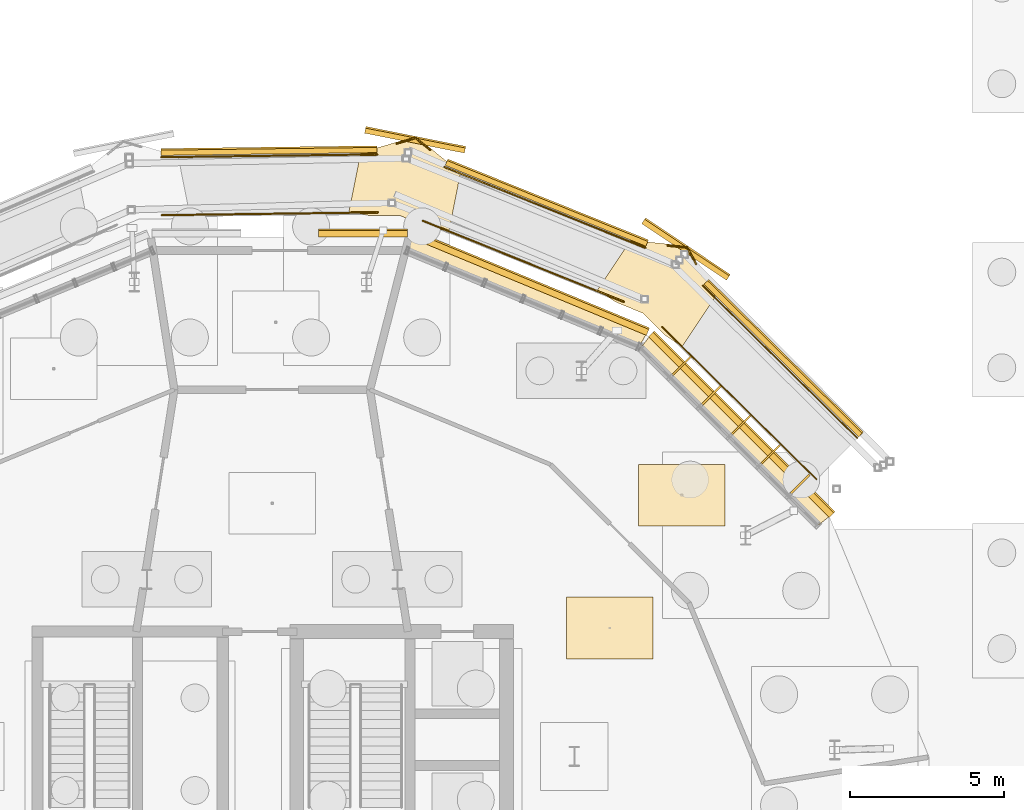
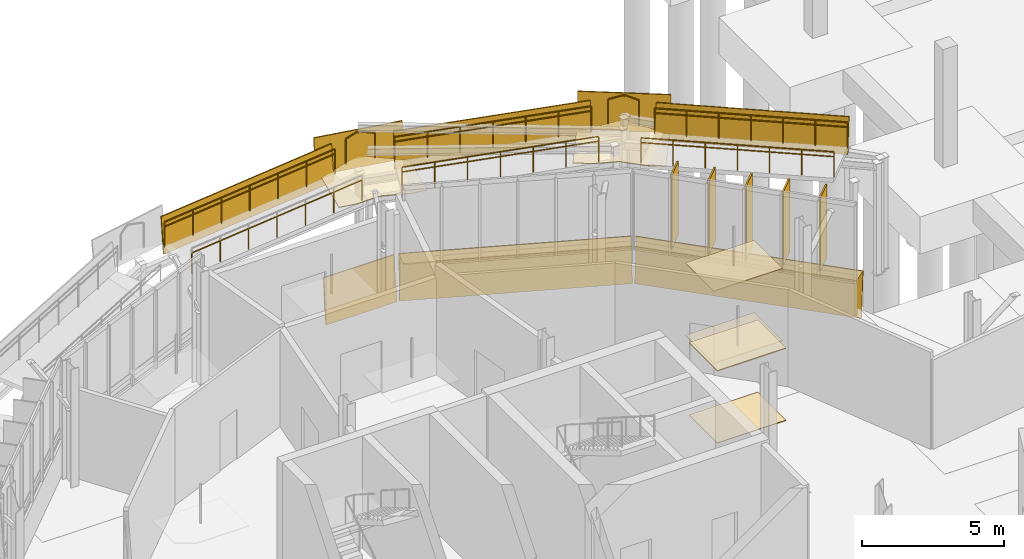
# One storey, part 114 of 119: 16 coverings, 15 railings, 5 shading devices.
"""IFC4 building model written with IfcOpenShell, lengths in metres."""

from ifc_helpers import new_model, si_unit, derived_unit, direction, frame, origin, origin_2d, place, context, subcontext, project, spatial, polyline, rectangle, circle, outline, extrude, material, layer, layer_set, type_object, element, save


model = new_model("IFC4")

# Units and contexts
model_context = context("Model", 3, precision=1e-05, world=origin(), true_north=direction((0.0, 1.0)))
body_context = subcontext(model_context, "Body", "Model", "MODEL_VIEW")
ifc_project = project(units=[si_unit("LENGTHUNIT", "METRE"), si_unit("AREAUNIT", "SQUARE_METRE"), si_unit("VOLUMEUNIT", "CUBIC_METRE"), si_unit("PLANEANGLEUNIT", "RADIAN"), si_unit("MASSUNIT", "GRAM", prefix="KILO"), derived_unit("THERMALTRANSMITTANCEUNIT", [(si_unit("MASSUNIT", "GRAM", prefix="KILO"), 1), (si_unit("TIMEUNIT", "SECOND"), -3), (si_unit("THERMODYNAMICTEMPERATUREUNIT", "KELVIN"), -1)])], contexts=[model_context])

# Site, building, storey
site_placement = place(None, origin())
site = spatial("IfcSite", under=ifc_project, at=site_placement, CompositionType="ELEMENT")
building_placement = place(site_placement, origin())
building = spatial("IfcBuilding", under=site, at=building_placement, Name="Makaiwela Harbour Ferry Terminal", CompositionType="ELEMENT")
storey_placement = place(building_placement, origin())
storey = spatial("IfcBuildingStorey", under=building, at=storey_placement, Name="L00", CompositionType="ELEMENT", Elevation=0.0)

# Coverings
ifc_material_1 = material(Name="White glazed marine ceramic rainscreen tile", Category="masonry")
ifc_layer_1 = layer(ifc_material_1, 0.054931640625)
ifc_layer_set_1 = layer_set([ifc_layer_1], Name="White glazed marine ceramic rainscreen tile")
covering_type_1 = type_object("IfcCoveringType", Name="ENV-CLD-CERAMIC", PredefinedType="CLADDING", material=ifc_layer_set_1)
covering_1_placement = place(storey_placement, frame((55.855224609375, 79.393798828125, -0.3798828125), z_axis=(-0.702892139248, -0.702892139248, 0.109019636607), x_axis=(-0.70710660616, 0.707106956209, 2.256906e-06)))
element("IfcCovering", 1, at=covering_1_placement, inside=storey, type_object=covering_type_1, Name="Ceramic Spandrel Facet CLD-0001", PredefinedType="CLADDING", context=body_context, shape_type="SweptSolid", body=[
    extrude(outline(polyline([(0.0, 0.0), (8.289342361406732, -5.551115123125783e-17), (8.28934670084011, -1.9112756098700336), (4.339518837870442e-06, -1.9113132507510526), (0.0, 0.0)])), origin(), (0.0, 0.0, -1.0), 0.054931640625),
])
covering_2_placement = place(storey_placement, frame((0.0, 0.0, 1.47998046875)))
element("IfcCovering", 2, at=covering_2_placement, inside=storey, type_object=covering_type_1, Name="Ceramic Ring Sill Cap CLD-0002", PredefinedType="CLADDING", context=body_context, shape_type="SweptSolid", body=[
    extrude(outline(polyline([(56.002685546875, 79.541259765625), (50.14111328125, 85.402587890625), (49.73828125, 84.8896484375), (55.48974609375, 79.13818359375), (56.002685546875, 79.541259765625)])), origin(), (0.0, 0.0, 1.0), 0.054931640625),
])
covering_3_placement = place(storey_placement, frame((49.92919921875, 85.298583984375, -0.3798828125), z_axis=(-0.380398759585, -0.91838208959, 0.108954675097), x_axis=(-0.923882194821, 0.382677004917, 6.10357e-07)))
element("IfcCovering", 3, at=covering_3_placement, inside=storey, type_object=covering_type_1, Name="Ceramic Spandrel Facet CLD-0003", PredefinedType="CLADDING", context=body_context, shape_type="SweptSolid", body=[
    extrude(outline(polyline([(0.0, 0.0), (8.289174563484776, 5.551115123125783e-17), (8.289264562058765, -1.9112756460815155), (-0.00013555860248153952, -1.91128582552714), (0.0, 0.0)])), origin(), (0.0, 0.0, -1.0), 0.054931640625),
])
covering_4_placement = place(storey_placement, frame((0.0, 0.0, 1.47998046875)))
element("IfcCovering", 4, at=covering_4_placement, inside=storey, type_object=covering_type_1, Name="Ceramic Ring Sill Cap CLD-0004", PredefinedType="CLADDING", context=body_context, shape_type="SweptSolid", body=[
    extrude(outline(polyline([(50.009033203125, 85.490966796875), (42.3505859375, 88.6630859375), (42.174560546875, 88.034912109375), (49.689208984375, 84.92236328125), (50.009033203125, 85.490966796875)])), origin(), (0.0, 0.0, 1.0), 0.054931640625),
])
covering_5_placement = place(storey_placement, frame((42.184814453125, 88.48583984375, -0.3798828125), z_axis=(0.0, -0.994046209643, 0.108959318533), x_axis=(-1.0, 0.0, 0.0)))
element("IfcCovering", 5, at=covering_5_placement, inside=storey, type_object=covering_type_1, Name="Ceramic Spandrel Facet CLD-0005", PredefinedType="CLADDING", context=body_context, shape_type="SweptSolid", body=[
    extrude(outline(polyline([(0.0, 0.0), (2.884765625, 0.0), (2.884765625, -1.9112817143914502), (0.0, -1.9112817143914502), (0.0, 0.0)])), origin(), (0.0, 0.0, -1.0), 0.054931640625),
])
covering_6_placement = place(storey_placement, frame((34.2060546875, 91.13037109375, 2.847412109375), z_axis=(0.002800905544, -0.993935751955, 0.109926684269), x_axis=(0.995781413056, 0.012854137385, 0.090852344847)))
element("IfcCovering", 6, at=covering_6_placement, inside=storey, type_object=covering_type_1, Name="Coiled Ramp Ceramic Fascia CLD-R0019", PredefinedType="CLADDING", context=body_context, shape_type="SweptSolid", body=[
    extrude(outline(polyline([(0.0, 0.0), (7.0188671373056195, 0.0), (7.15715964121809, 1.5227907914468923), (0.13806843574704114, 1.5230281656356204), (0.0, 0.0)])), origin(), (0.0, 0.0, -1.0), 0.054931640625),
])
covering_7_placement = place(storey_placement, frame((44.033447265625, 91.205810546875, 3.485107421875), z_axis=(-0.193910341386, -0.974846187239, 0.10988034733), x_axis=(-0.98078501504, 0.195091656081, 0.0)))
element("IfcCovering", 7, at=covering_7_placement, inside=storey, type_object=covering_type_1, Name="Coiled Ramp Ceramic Fascia CLD-R0020", PredefinedType="CLADDING", context=body_context, shape_type="SweptSolid", body=[
    extrude(outline(polyline([(0.0, 0.0), (3.299981357781899, 0.0), (3.300045243484791, -1.5290339633720902), (6.388570289143913e-05, -1.5290339633720902), (0.0, 0.0)])), origin(), (0.0, 0.0, -1.0), 0.054931640625),
])
covering_8_placement = place(storey_placement, frame((43.411865234375, 90.805908203125, 3.485107421875), z_axis=(-0.380535479819, -0.91821480824, 0.109883185828), x_axis=(0.923798473404, -0.372009275686, 0.090584100929)))
element("IfcCovering", 8, at=covering_8_placement, inside=storey, type_object=covering_type_1, Name="Coiled Ramp Ceramic Fascia CLD-R0021", PredefinedType="CLADDING", context=body_context, shape_type="SweptSolid", body=[
    extrude(outline(polyline([(0.0, 0.0), (7.03700012256325, 1.1102230246251565e-16), (7.174617039771497, 1.5230875237770323), (0.13768562452630123, 1.5228126730568272), (0.0, 0.0)])), origin(), (0.0, 0.0, -1.0), 0.054931640625),
])
covering_9_placement = place(storey_placement, frame((52.524658203125, 87.086669921875, 4.12255859375), z_axis=(-0.552212703446, -0.826425523361, 0.109918080821), x_axis=(-0.831463721241, 0.555579049514, -1.115024e-06)))
element("IfcCovering", 9, at=covering_9_placement, inside=storey, type_object=covering_type_1, Name="Coiled Ramp Ceramic Fascia CLD-R0022", PredefinedType="CLADDING", context=body_context, shape_type="SweptSolid", body=[
    extrude(outline(polyline([(0.0, 0.0), (3.2997637651627483, 0.0), (3.2999397201724205, -1.5292897125461575), (-0.00016267847928162053, -1.529282308676319), (0.0, 0.0)])), origin(), (0.0, 0.0, -1.0), 0.054931640625),
])
covering_10_placement = place(storey_placement, frame((51.797607421875, 86.95068359375, 4.12255859375), z_axis=(-0.705271779307, -0.700359519329, 0.109946627956), x_axis=(0.70880387788, -0.699613440077, 0.090211402639)))
element("IfcCovering", 10, at=covering_10_placement, inside=storey, type_object=covering_type_1, Name="Coiled Ramp Ceramic Fascia CLD-R0023", PredefinedType="CLADDING", context=body_context, shape_type="SweptSolid", body=[
    extrude(outline(polyline([(0.0, 0.0), (7.066192889432366, -1.1102230246251565e-16), (7.203377138477214, 1.5231262843482636), (0.13718424904484783, 1.5231262843482636), (0.0, 0.0)])), origin(), (0.0, 0.0, -1.0), 0.054931640625),
])

# Shading devices
ifc_material_2 = material(Name="Thermally modified Accoya timber and anodised aluminium", Category="wood")
ifc_layer_2 = layer(ifc_material_2, 0.06005859375)
ifc_layer_set_2 = layer_set([ifc_layer_2], Name="Thermally modified Accoya timber and anodised aluminium")
shading_device_type = type_object("IfcShadingDeviceType", Name="ENV-FIN-850", PredefinedType="USERDEFINED", material=ifc_layer_set_2)
for number, where, z_axis, x_axis, name in (
    (11, (54.91162109375, 80.477294921875, 1.626953125), (0.0, 0.0, 1.0), (0.707106781187, 0.707106781187, 0.0), "Vertical Solar Fin SFN-0001"),
    (12, (53.952880859375, 81.435791015625, 1.626953125), (0.0, 0.0, 1.0), (0.707106781187, 0.707106781187, 0.0), "Vertical Solar Fin SFN-0002"),
    (13, (52.994384765625, 82.394287109375, 1.626953125), (0.0, 0.0, 1.0), (0.707106781187, 0.707106781187, 0.0), "Vertical Solar Fin SFN-0003"),
    (14, (52.035888671875, 83.352783203125, 1.626953125), (0.0, 0.0, 1.0), (0.707106781187, 0.707106781187, 0.0), "Vertical Solar Fin SFN-0004"),
    (15, (51.0771484375, 84.3115234375, 1.626953125), (0.0, 0.0, 1.0), (0.707106781187, 0.707106781187, 0.0), "Vertical Solar Fin SFN-0005"),
):
    element("IfcShadingDevice", number, at=place(storey_placement, frame(where, z_axis=z_axis, x_axis=x_axis)), inside=storey, type_object=shading_device_type, Name=name, ObjectType="SOLAR FIN", PredefinedType="USERDEFINED", context=body_context, shape_type="SweptSolid", body=[
        extrude(rectangle(XDim=0.85009765625, YDim=0.06005859375, at=origin_2d()), origin(), (0.0, 0.0, 1.0), 3.179931640625),
    ])

# Coverings
ifc_material_3 = material(Name="Thermally modified Accoya timber acoustic slat ceiling", Category="wood")
ifc_layer_3 = layer(ifc_material_3, 0.0400390625)
ifc_layer_set_3 = layer_set([ifc_layer_3], Name="Thermally modified Accoya timber acoustic slat ceiling")
covering_type_2 = type_object("IfcCoveringType", Name="INT-COV-CEIL", PredefinedType="CEILING", material=ifc_layer_set_3)
covering_11_placement = place(storey_placement, frame((0.0, 0.0, 3.10009765625)))
element("IfcCovering", 16, at=covering_11_placement, inside=storey, type_object=covering_type_2, Name="Acoustic Timber Ceiling CLG-004", PredefinedType="CEILING", context=body_context, shape_type="SweptSolid", body=[
    extrude(outline(polyline([(47.3408203125, 74.814697265625), (50.140625, 74.814697265625), (50.140625, 76.814697265625), (47.3408203125, 76.814697265625), (47.3408203125, 74.814697265625)])), origin(), (0.0, 0.0, 1.0), 0.039794921875),
])
covering_12_placement = place(storey_placement, frame((0.0, 0.0, 3.10009765625)))
element("IfcCovering", 17, at=covering_12_placement, inside=storey, type_object=covering_type_2, Name="Acoustic Timber Ceiling CLG-007", PredefinedType="CEILING", context=body_context, shape_type="SweptSolid", body=[
    extrude(outline(polyline([(49.67431640625, 79.119384765625), (52.47412109375, 79.119384765625), (52.47412109375, 81.119384765625), (49.67431640625, 81.119384765625), (49.67431640625, 79.119384765625)])), origin(), (0.0, 0.0, 1.0), 0.039794921875),
])
ifc_material_4 = material(Name="Honed coral-aggregate epoxy terrazzo flooring", Category="concrete")
ifc_layer_4 = layer(ifc_material_4, 0.02490234375)
ifc_layer_set_4 = layer_set([ifc_layer_4], Name="Honed coral-aggregate epoxy terrazzo flooring")
covering_type_3 = type_object("IfcCoveringType", Name="INT-COV-FLR", PredefinedType="FLOORING", material=ifc_layer_set_4)
covering_13_placement = place(storey_placement, frame((0.0, 0.0, 3.824951171875)))
element("IfcCovering", 18, at=covering_13_placement, inside=storey, type_object=covering_type_3, Name="Ramp Landing Terrazzo RMP-COIL-L00-L6", PredefinedType="FLOORING", context=body_context, shape_type="SweptSolid", body=[
    extrude(outline(polyline([(40.963134765625, 89.1787109375), (41.947509765625, 89.1787109375), (41.94775390625, 89.1787109375), (41.947998046875, 89.1787109375), (41.947998046875, 89.1787109375), (41.9482421875, 89.178466796875), (42.857666015625, 88.802001953125), (43.52880859375, 88.66845703125), (43.9072265625, 90.5712890625), (42.45849609375, 91.746337890625), (40.670654296875, 91.215087890625), (40.2919921875, 89.312255859375), (40.963134765625, 89.1787109375)])), origin(), (0.0, 0.0, 1.0), 0.025146484375),
])
covering_14_placement = place(storey_placement, frame((0.0, 0.0, 4.46240234375)))
element("IfcCovering", 19, at=covering_14_placement, inside=storey, type_object=covering_type_3, Name="Ramp Landing Terrazzo RMP-COIL-L00-L7", PredefinedType="FLOORING", context=body_context, shape_type="SweptSolid", body=[
    extrude(outline(polyline([(48.912841796875, 86.388671875), (49.822021484375, 86.01220703125), (49.822021484375, 86.01220703125), (49.822265625, 86.011962890625), (49.822509765625, 86.01171875), (49.822509765625, 86.01171875), (50.5185546875, 85.31591796875), (51.08740234375, 84.935546875), (52.165283203125, 86.548583984375), (51.276611328125, 88.188720703125), (49.42138671875, 88.382080078125), (48.34375, 86.76904296875), (48.912841796875, 86.388671875)])), origin(), (0.0, 0.0, 1.0), 0.025146484375),
])
covering_15_placement = place(storey_placement, origin())
element("IfcCovering", 20, at=covering_15_placement, inside=storey, type_object=covering_type_3, Name="Terrazzo Flooring FLG-004", PredefinedType="FLOORING", context=body_context, shape_type="SweptSolid", body=[
    extrude(outline(polyline([(47.3408203125, 74.814697265625), (50.140625, 74.814697265625), (50.140625, 76.814697265625), (47.3408203125, 76.814697265625), (47.3408203125, 74.814697265625)])), origin(), (0.0, 0.0, 1.0), 0.02490234375),
])
covering_16_placement = place(storey_placement, origin())
element("IfcCovering", 21, at=covering_16_placement, inside=storey, type_object=covering_type_3, Name="Terrazzo Flooring FLG-007", PredefinedType="FLOORING", context=body_context, shape_type="SweptSolid", body=[
    extrude(outline(polyline([(49.67431640625, 79.119384765625), (52.47412109375, 79.119384765625), (52.47412109375, 81.119384765625), (49.67431640625, 81.119384765625), (49.67431640625, 79.119384765625)])), origin(), (0.0, 0.0, 1.0), 0.02490234375),
])

# Railings
ifc_material_5 = material(Name="Marine grade 316L brushed stainless steel", Category="steel")
railing_type_1 = type_object("IfcRailingType", Name="INT-RL-GRD110", PredefinedType="GUARDRAIL", material=ifc_material_5)
railing_1_placement = place(storey_placement, frame((34.206787109375, 91.0732421875, 3.1875)))
element("IfcRailing", 22, at=railing_1_placement, inside=storey, type_object=railing_type_1, Name="Ramp guardrail RL-0127", PredefinedType="GUARDRAIL", context=body_context, shape_type="SweptSolid", body=[
    extrude(circle(Radius=0.02392578125, at=origin_2d()), frame((0.0, 0.0, 1.09619140625), z_axis=(0.995784460301, 0.012869476765, 0.090816767119), x_axis=(-0.012922879023, 0.999916496112, 0.0)), (0.0, 0.0, 1.0), 7.01904296875),
    extrude(circle(Radius=0.02099609375, at=origin_2d()), origin(), (0.0, 0.0, 1.0), 1.072021484375),
    extrude(circle(Radius=0.02099609375, at=origin_2d()), frame((1.1650390625, 0.01513671875, 0.106201171875)), (0.0, 0.0, 1.0), 1.072021484375),
    extrude(circle(Radius=0.02099609375, at=origin_2d()), frame((2.329833984375, 0.030029296875, 0.21240234375)), (0.0, 0.0, 1.0), 1.072021484375),
    extrude(circle(Radius=0.02099609375, at=origin_2d()), frame((3.49462890625, 0.045166015625, 0.31884765625)), (0.0, 0.0, 1.0), 1.072021484375),
    extrude(circle(Radius=0.02099609375, at=origin_2d()), frame((4.65966796875, 0.060302734375, 0.425048828125)), (0.0, 0.0, 1.0), 1.072021484375),
    extrude(circle(Radius=0.02099609375, at=origin_2d()), frame((5.82470703125, 0.0751953125, 0.53125)), (0.0, 0.0, 1.0), 1.072021484375),
    extrude(circle(Radius=0.02099609375, at=origin_2d()), frame((6.989501953125, 0.09033203125, 0.637451171875)), (0.0, 0.0, 1.0), 1.072021484375),
])
railing_2_placement = place(storey_placement, frame((42.688232421875, 89.009033203125, 3.824951171875)))
element("IfcRailing", 23, at=railing_2_placement, inside=storey, type_object=railing_type_1, Name="Ramp guardrail RL-0129", PredefinedType="GUARDRAIL", context=body_context, shape_type="SweptSolid", body=[
    extrude(circle(Radius=0.02392578125, at=origin_2d()), frame((0.0, 0.0, 1.09619140625), z_axis=(0.923793137418, -0.37202215092, 0.09058564171), x_axis=(0.373557971299, 0.927606835938, 0.0)), (0.0, 0.0, 1.0), 7.037109375),
    extrude(circle(Radius=0.02099609375, at=origin_2d()), origin(), (0.0, 0.0, 1.0), 1.072021484375),
    extrude(circle(Radius=0.02099609375, at=origin_2d()), frame((1.08349609375, -0.436279296875, 0.106201171875)), (0.0, 0.0, 1.0), 1.072021484375),
    extrude(circle(Radius=0.02099609375, at=origin_2d()), frame((2.1669921875, -0.87255859375, 0.21240234375)), (0.0, 0.0, 1.0), 1.072021484375),
    extrude(circle(Radius=0.02099609375, at=origin_2d()), frame((3.25048828125, -1.30908203125, 0.31884765625)), (0.0, 0.0, 1.0), 1.072021484375),
    extrude(circle(Radius=0.02099609375, at=origin_2d()), frame((4.333740234375, -1.745361328125, 0.425048828125)), (0.0, 0.0, 1.0), 1.072021484375),
    extrude(circle(Radius=0.02099609375, at=origin_2d()), frame((5.417236328125, -2.181640625, 0.53125)), (0.0, 0.0, 1.0), 1.072021484375),
    extrude(circle(Radius=0.02099609375, at=origin_2d()), frame((6.500732421875, -2.617919921875, 0.637451171875)), (0.0, 0.0, 1.0), 1.072021484375),
])
railing_3_placement = place(storey_placement, frame((43.390380859375, 90.7529296875, 3.824951171875)))
element("IfcRailing", 24, at=railing_3_placement, inside=storey, type_object=railing_type_1, Name="Ramp guardrail RL-0131", PredefinedType="GUARDRAIL", context=body_context, shape_type="SweptSolid", body=[
    extrude(circle(Radius=0.02392578125, at=origin_2d()), frame((0.0, 0.0, 1.09619140625), z_axis=(0.923805060381, -0.371992258137, 0.090586810856), x_axis=(0.373527994996, 0.927618907178, 0.0)), (0.0, 0.0, 1.0), 7.036865234375),
    extrude(circle(Radius=0.02099609375, at=origin_2d()), origin(), (0.0, 0.0, 1.0), 1.072021484375),
    extrude(circle(Radius=0.02099609375, at=origin_2d()), frame((1.08349609375, -0.436279296875, 0.106201171875)), (0.0, 0.0, 1.0), 1.072021484375),
    extrude(circle(Radius=0.02099609375, at=origin_2d()), frame((2.1669921875, -0.87255859375, 0.21240234375)), (0.0, 0.0, 1.0), 1.072021484375),
    extrude(circle(Radius=0.02099609375, at=origin_2d()), frame((3.25048828125, -1.308837890625, 0.31884765625)), (0.0, 0.0, 1.0), 1.072021484375),
    extrude(circle(Radius=0.02099609375, at=origin_2d()), frame((4.333740234375, -1.7451171875, 0.425048828125)), (0.0, 0.0, 1.0), 1.072021484375),
    extrude(circle(Radius=0.02099609375, at=origin_2d()), frame((5.417236328125, -2.181396484375, 0.53125)), (0.0, 0.0, 1.0), 1.072021484375),
    extrude(circle(Radius=0.02099609375, at=origin_2d()), frame((6.500732421875, -2.61767578125, 0.637451171875)), (0.0, 0.0, 1.0), 1.072021484375),
])
for number, where, name in (
    (25, (50.43701171875, 85.572021484375, 4.46240234375), "Ramp guardrail RL-0133"),
    (26, (51.757568359375, 86.909912109375, 4.46240234375), "Ramp guardrail RL-0135"),
):
    element("IfcRailing", number, at=place(storey_placement, frame(where)), inside=storey, type_object=railing_type_1, Name=name, PredefinedType="GUARDRAIL", context=body_context, shape_type="SweptSolid", body=[
        extrude(circle(Radius=0.02392578125, at=origin_2d()), frame((0.0, 0.0, 1.09619140625), z_axis=(0.708818801481, -0.699593618932, 0.090247853252), x_axis=(0.702460122254, 0.711723103913, 0.0)), (0.0, 0.0, 1.0), 7.066162109375),
        extrude(circle(Radius=0.02099609375, at=origin_2d()), origin(), (0.0, 0.0, 1.0), 1.072021484375),
        extrude(circle(Radius=0.02099609375, at=origin_2d()), frame((0.834716796875, -0.823974609375, 0.106201171875)), (0.0, 0.0, 1.0), 1.072021484375),
        extrude(circle(Radius=0.02099609375, at=origin_2d()), frame((1.66943359375, -1.647705078125, 0.212646484375)), (0.0, 0.0, 1.0), 1.072021484375),
        extrude(circle(Radius=0.02099609375, at=origin_2d()), frame((2.50439453125, -2.4716796875, 0.31884765625)), (0.0, 0.0, 1.0), 1.072021484375),
        extrude(circle(Radius=0.02099609375, at=origin_2d()), frame((3.339111328125, -3.295654296875, 0.425048828125)), (0.0, 0.0, 1.0), 1.072021484375),
        extrude(circle(Radius=0.02099609375, at=origin_2d()), frame((4.173828125, -4.119384765625, 0.531494140625)), (0.0, 0.0, 1.0), 1.072021484375),
        extrude(circle(Radius=0.02099609375, at=origin_2d()), frame((5.008544921875, -4.943359375, 0.6376953125)), (0.0, 0.0, 1.0), 1.072021484375),
    ])
railing_4_placement = place(storey_placement, frame((41.84033203125, 91.515625, 3.824951171875)))
element("IfcRailing", 27, at=railing_4_placement, inside=storey, type_object=railing_type_1, Name="Deck edge guardrail RL-0253", PredefinedType="GUARDRAIL", context=body_context, shape_type="SweptSolid", body=[
    extrude(circle(Radius=0.02392578125, at=origin_2d()), frame((0.0, 0.0, 1.09619140625), z_axis=(0.958522156979, 0.285018025009, 0.0), x_axis=(-0.285018025009, 0.958522156979, 0.0)), (0.0, 0.0, 1.0), 0.634765625),
    extrude(circle(Radius=0.02099609375, at=origin_2d()), origin(), (0.0, 0.0, 1.0), 1.072021484375),
    extrude(circle(Radius=0.02099609375, at=origin_2d()), frame((0.6083984375, 0.180908203125, 0.0)), (0.0, 0.0, 1.0), 1.072021484375),
])
railing_5_placement = place(storey_placement, frame((42.44873046875, 91.696533203125, 3.824951171875)))
element("IfcRailing", 28, at=railing_5_placement, inside=storey, type_object=railing_type_1, Name="Deck edge guardrail RL-0254", PredefinedType="GUARDRAIL", context=body_context, shape_type="SweptSolid", body=[
    extrude(circle(Radius=0.02392578125, at=origin_2d()), frame((0.0, 0.0, 1.09619140625), z_axis=(0.776521022449, -0.63009134393, 0.0), x_axis=(0.63009134393, 0.776521022449, 0.0)), (0.0, 0.0, 1.0), 0.605224609375),
    extrude(circle(Radius=0.02099609375, at=origin_2d()), origin(), (0.0, 0.0, 1.0), 1.072021484375),
    extrude(circle(Radius=0.02099609375, at=origin_2d()), frame((0.469970703125, -0.38134765625, 0.0)), (0.0, 0.0, 1.0), 1.072021484375),
])
railing_6_placement = place(storey_placement, frame((50.621337890625, 88.2119140625, 4.46240234375)))
element("IfcRailing", 29, at=railing_6_placement, inside=storey, type_object=railing_type_1, Name="Deck edge guardrail RL-0255", PredefinedType="GUARDRAIL", context=body_context, shape_type="SweptSolid", body=[
    extrude(circle(Radius=0.02392578125, at=origin_2d()), frame((0.0, 0.0, 1.09619140625), z_axis=(0.994598434854, -0.103797655974, 0.0), x_axis=(0.103797655974, 0.994598434854, 0.0)), (0.0, 0.0, 1.0), 0.63037109375),
    extrude(circle(Radius=0.02099609375, at=origin_2d()), origin(), (0.0, 0.0, 1.0), 1.072021484375),
    extrude(circle(Radius=0.02099609375, at=origin_2d()), frame((0.626953125, -0.0654296875, 0.0)), (0.0, 0.0, 1.0), 1.072021484375),
])
railing_7_placement = place(storey_placement, frame((51.248291015625, 88.146484375, 4.46240234375)))
element("IfcRailing", 30, at=railing_7_placement, inside=storey, type_object=railing_type_1, Name="Deck edge guardrail RL-0256", PredefinedType="GUARDRAIL", context=body_context, shape_type="SweptSolid", body=[
    extrude(circle(Radius=0.02392578125, at=origin_2d()), frame((0.0, 0.0, 1.09619140625), z_axis=(0.476605674054, -0.879117188696, 0.0), x_axis=(0.879117188696, 0.476605674054, 0.0)), (0.0, 0.0, 1.0), 0.609619140625),
    extrude(circle(Radius=0.02099609375, at=origin_2d()), origin(), (0.0, 0.0, 1.0), 1.072021484375),
    extrude(circle(Radius=0.02099609375, at=origin_2d()), frame((0.29052734375, -0.535888671875, 0.0)), (0.0, 0.0, 1.0), 1.072021484375),
])
railing_type_2 = type_object("IfcRailingType", Name="INT-RL-HND090", PredefinedType="HANDRAIL", material=ifc_material_5)
railing_8_placement = place(storey_placement, frame((34.23095703125, 89.193603515625, 3.1875)))
element("IfcRailing", 31, at=railing_8_placement, inside=storey, type_object=railing_type_2, Name="Ramp handrail RL-0126", PredefinedType="HANDRAIL", context=body_context, shape_type="SweptSolid", body=[
    extrude(circle(Radius=0.02392578125, at=origin_2d()), frame((0.0, 0.0, 0.89111328125), z_axis=(0.995784905443, 0.012834700133, 0.090816807716), x_axis=(-0.012887958133, 0.999916946819, 0.0)), (0.0, 0.0, 1.0), 7.01904296875),
    extrude(circle(Radius=0.02099609375, at=origin_2d()), origin(), (0.0, 0.0, 1.0), 0.866943359375),
    extrude(circle(Radius=0.02099609375, at=origin_2d()), frame((1.1650390625, 0.01513671875, 0.106201171875)), (0.0, 0.0, 1.0), 0.866943359375),
    extrude(circle(Radius=0.02099609375, at=origin_2d()), frame((2.329833984375, 0.030029296875, 0.21240234375)), (0.0, 0.0, 1.0), 0.866943359375),
    extrude(circle(Radius=0.02099609375, at=origin_2d()), frame((3.49462890625, 0.044921875, 0.31884765625)), (0.0, 0.0, 1.0), 0.866943359375),
    extrude(circle(Radius=0.02099609375, at=origin_2d()), frame((4.65966796875, 0.06005859375, 0.425048828125)), (0.0, 0.0, 1.0), 0.866943359375),
    extrude(circle(Radius=0.02099609375, at=origin_2d()), frame((5.82470703125, 0.0751953125, 0.53125)), (0.0, 0.0, 1.0), 0.866943359375),
    extrude(circle(Radius=0.02099609375, at=origin_2d()), frame((6.989501953125, 0.090087890625, 0.637451171875)), (0.0, 0.0, 1.0), 0.866943359375),
])
railing_9_placement = place(storey_placement, frame((34.206787109375, 91.0732421875, 3.1875)))
element("IfcRailing", 32, at=railing_9_placement, inside=storey, type_object=railing_type_2, Name="Ramp handrail RL-0128", PredefinedType="HANDRAIL", context=body_context, shape_type="SweptSolid", body=[
    extrude(circle(Radius=0.02392578125, at=origin_2d()), frame((0.0, 0.0, 0.89111328125), z_axis=(0.995784460301, 0.012869476765, 0.090816767119), x_axis=(-0.012922879023, 0.999916496112, 0.0)), (0.0, 0.0, 1.0), 7.01904296875),
    extrude(circle(Radius=0.02099609375, at=origin_2d()), origin(), (0.0, 0.0, 1.0), 0.866943359375),
    extrude(circle(Radius=0.02099609375, at=origin_2d()), frame((1.1650390625, 0.01513671875, 0.106201171875)), (0.0, 0.0, 1.0), 0.866943359375),
    extrude(circle(Radius=0.02099609375, at=origin_2d()), frame((2.329833984375, 0.030029296875, 0.21240234375)), (0.0, 0.0, 1.0), 0.866943359375),
    extrude(circle(Radius=0.02099609375, at=origin_2d()), frame((3.49462890625, 0.045166015625, 0.31884765625)), (0.0, 0.0, 1.0), 0.866943359375),
    extrude(circle(Radius=0.02099609375, at=origin_2d()), frame((4.65966796875, 0.060302734375, 0.425048828125)), (0.0, 0.0, 1.0), 0.866943359375),
    extrude(circle(Radius=0.02099609375, at=origin_2d()), frame((5.82470703125, 0.0751953125, 0.53125)), (0.0, 0.0, 1.0), 0.866943359375),
    extrude(circle(Radius=0.02099609375, at=origin_2d()), frame((6.989501953125, 0.09033203125, 0.637451171875)), (0.0, 0.0, 1.0), 0.866943359375),
])
railing_10_placement = place(storey_placement, frame((42.688232421875, 89.009033203125, 3.824951171875)))
element("IfcRailing", 33, at=railing_10_placement, inside=storey, type_object=railing_type_2, Name="Ramp handrail RL-0130", PredefinedType="HANDRAIL", context=body_context, shape_type="SweptSolid", body=[
    extrude(circle(Radius=0.02392578125, at=origin_2d()), frame((0.0, 0.0, 0.89111328125), z_axis=(0.923793137418, -0.37202215092, 0.09058564171), x_axis=(0.373557971299, 0.927606835938, 0.0)), (0.0, 0.0, 1.0), 7.037109375),
    extrude(circle(Radius=0.02099609375, at=origin_2d()), origin(), (0.0, 0.0, 1.0), 0.866943359375),
    extrude(circle(Radius=0.02099609375, at=origin_2d()), frame((1.08349609375, -0.436279296875, 0.106201171875)), (0.0, 0.0, 1.0), 0.866943359375),
    extrude(circle(Radius=0.02099609375, at=origin_2d()), frame((2.1669921875, -0.87255859375, 0.21240234375)), (0.0, 0.0, 1.0), 0.866943359375),
    extrude(circle(Radius=0.02099609375, at=origin_2d()), frame((3.25048828125, -1.30908203125, 0.31884765625)), (0.0, 0.0, 1.0), 0.866943359375),
    extrude(circle(Radius=0.02099609375, at=origin_2d()), frame((4.333740234375, -1.745361328125, 0.425048828125)), (0.0, 0.0, 1.0), 0.866943359375),
    extrude(circle(Radius=0.02099609375, at=origin_2d()), frame((5.417236328125, -2.181640625, 0.53125)), (0.0, 0.0, 1.0), 0.866943359375),
    extrude(circle(Radius=0.02099609375, at=origin_2d()), frame((6.500732421875, -2.617919921875, 0.637451171875)), (0.0, 0.0, 1.0), 0.866943359375),
])
railing_11_placement = place(storey_placement, frame((43.390380859375, 90.7529296875, 3.824951171875)))
element("IfcRailing", 34, at=railing_11_placement, inside=storey, type_object=railing_type_2, Name="Ramp handrail RL-0132", PredefinedType="HANDRAIL", context=body_context, shape_type="SweptSolid", body=[
    extrude(circle(Radius=0.02392578125, at=origin_2d()), frame((0.0, 0.0, 0.89111328125), z_axis=(0.923805060381, -0.371992258137, 0.090586810856), x_axis=(0.373527994996, 0.927618907178, 0.0)), (0.0, 0.0, 1.0), 7.036865234375),
    extrude(circle(Radius=0.02099609375, at=origin_2d()), origin(), (0.0, 0.0, 1.0), 0.866943359375),
    extrude(circle(Radius=0.02099609375, at=origin_2d()), frame((1.08349609375, -0.436279296875, 0.106201171875)), (0.0, 0.0, 1.0), 0.866943359375),
    extrude(circle(Radius=0.02099609375, at=origin_2d()), frame((2.1669921875, -0.87255859375, 0.21240234375)), (0.0, 0.0, 1.0), 0.866943359375),
    extrude(circle(Radius=0.02099609375, at=origin_2d()), frame((3.25048828125, -1.308837890625, 0.31884765625)), (0.0, 0.0, 1.0), 0.866943359375),
    extrude(circle(Radius=0.02099609375, at=origin_2d()), frame((4.333740234375, -1.7451171875, 0.425048828125)), (0.0, 0.0, 1.0), 0.866943359375),
    extrude(circle(Radius=0.02099609375, at=origin_2d()), frame((5.417236328125, -2.181396484375, 0.53125)), (0.0, 0.0, 1.0), 0.866943359375),
    extrude(circle(Radius=0.02099609375, at=origin_2d()), frame((6.500732421875, -2.61767578125, 0.637451171875)), (0.0, 0.0, 1.0), 0.866943359375),
])
for number, where, name in (
    (35, (50.43701171875, 85.572021484375, 4.46240234375), "Ramp handrail RL-0134"),
    (36, (51.757568359375, 86.909912109375, 4.46240234375), "Ramp handrail RL-0136"),
):
    element("IfcRailing", number, at=place(storey_placement, frame(where)), inside=storey, type_object=railing_type_2, Name=name, PredefinedType="HANDRAIL", context=body_context, shape_type="SweptSolid", body=[
        extrude(circle(Radius=0.02392578125, at=origin_2d()), frame((0.0, 0.0, 0.89111328125), z_axis=(0.708818801481, -0.699593618932, 0.090247853252), x_axis=(0.702460122254, 0.711723103913, 0.0)), (0.0, 0.0, 1.0), 7.066162109375),
        extrude(circle(Radius=0.02099609375, at=origin_2d()), origin(), (0.0, 0.0, 1.0), 0.866943359375),
        extrude(circle(Radius=0.02099609375, at=origin_2d()), frame((0.834716796875, -0.823974609375, 0.106201171875)), (0.0, 0.0, 1.0), 0.866943359375),
        extrude(circle(Radius=0.02099609375, at=origin_2d()), frame((1.66943359375, -1.647705078125, 0.212646484375)), (0.0, 0.0, 1.0), 0.866943359375),
        extrude(circle(Radius=0.02099609375, at=origin_2d()), frame((2.50439453125, -2.4716796875, 0.31884765625)), (0.0, 0.0, 1.0), 0.866943359375),
        extrude(circle(Radius=0.02099609375, at=origin_2d()), frame((3.339111328125, -3.295654296875, 0.425048828125)), (0.0, 0.0, 1.0), 0.866943359375),
        extrude(circle(Radius=0.02099609375, at=origin_2d()), frame((4.173828125, -4.119384765625, 0.531494140625)), (0.0, 0.0, 1.0), 0.866943359375),
        extrude(circle(Radius=0.02099609375, at=origin_2d()), frame((5.008544921875, -4.943359375, 0.6376953125)), (0.0, 0.0, 1.0), 0.866943359375),
    ])

save(model, "model.ifc")
